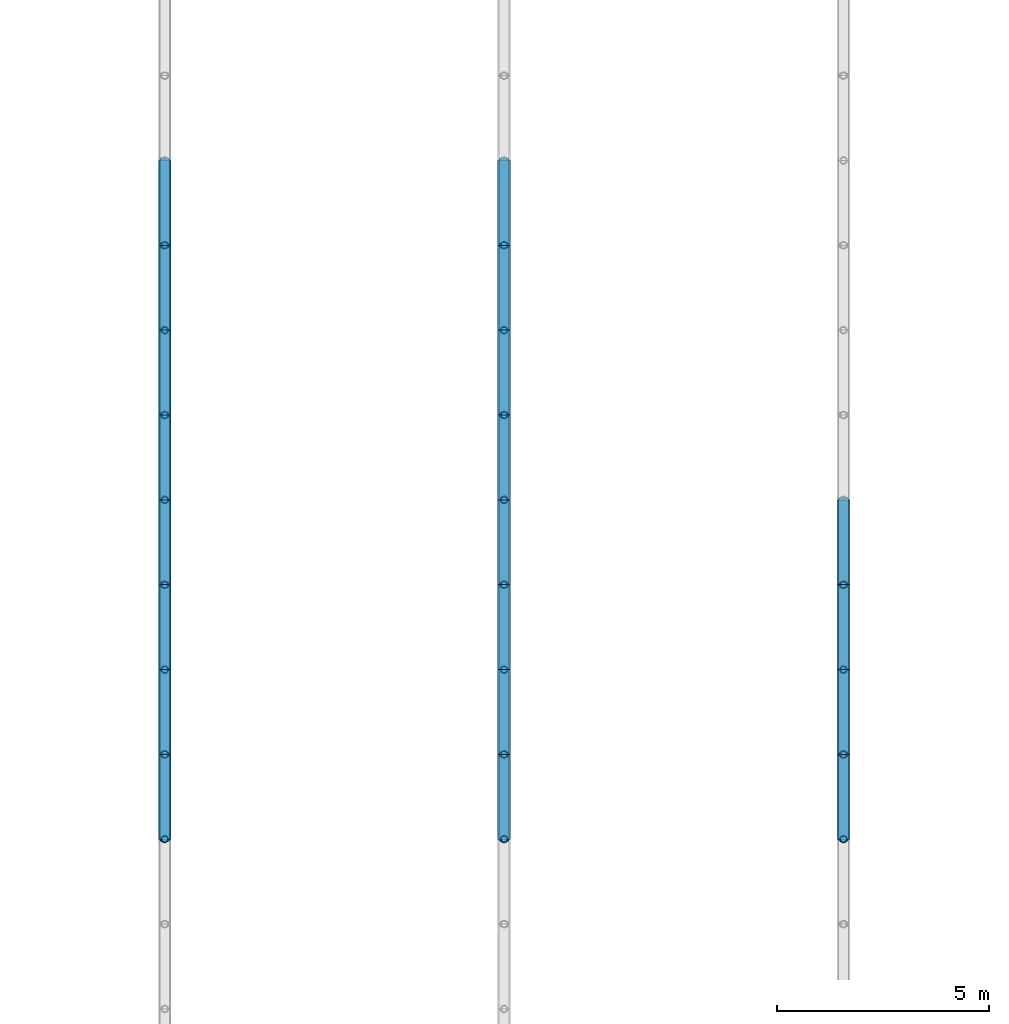
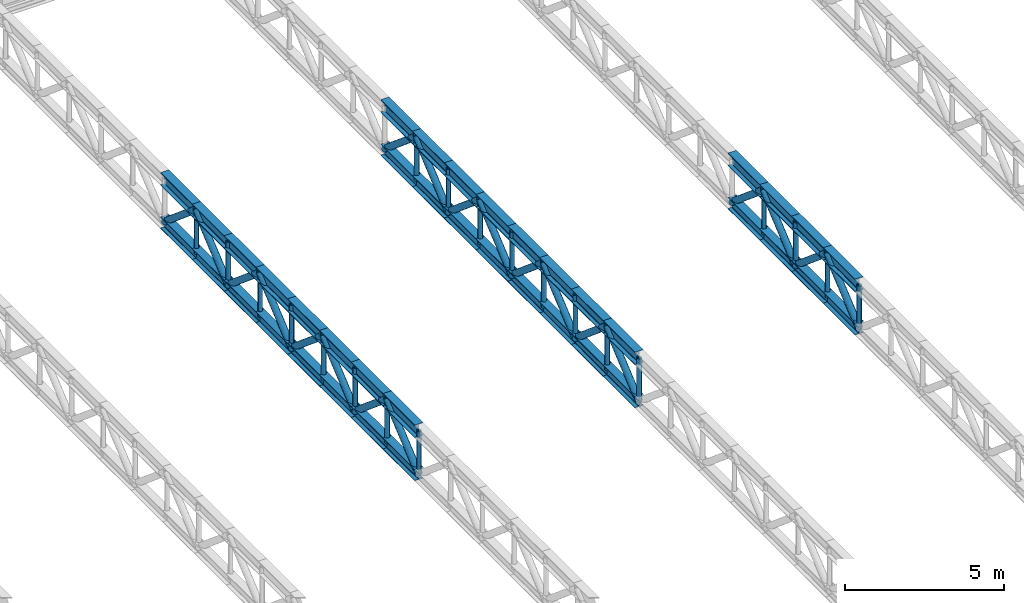
# One storey, part 84 of 143: 80 members.
"""IFC4 building model written with IfcOpenShell, lengths in metres."""

from ifc_helpers import new_model, si_unit, derived_unit, direction, frame, origin, origin_2d, place, context, subcontext, project, spatial, hollow_circle, i_section, extrude, material, material_profile, profile_set, type_object, element, save


model = new_model("IFC4")

# Units and contexts
model_context = context("Model", 3, precision=1e-05, world=origin(), true_north=direction((0.0, 1.0)))
body_context = subcontext(model_context, "Body", "Model", "MODEL_VIEW")
ifc_project = project(units=[si_unit("LENGTHUNIT", "METRE"), si_unit("AREAUNIT", "SQUARE_METRE"), si_unit("VOLUMEUNIT", "CUBIC_METRE"), si_unit("PLANEANGLEUNIT", "RADIAN"), si_unit("MASSUNIT", "GRAM", prefix="KILO"), derived_unit("THERMALTRANSMITTANCEUNIT", [(si_unit("POWERUNIT", "WATT"), 1), (si_unit("LENGTHUNIT", "METRE"), -2), (si_unit("THERMODYNAMICTEMPERATUREUNIT", "KELVIN"), -1)])], contexts=[model_context])

# Site, building, storey
site_placement = place(None, origin())
site = spatial("IfcSite", under=ifc_project, at=site_placement, CompositionType="ELEMENT")
building_placement = place(site_placement, origin())
building = spatial("IfcBuilding", under=site, at=building_placement, Name="Keldorne Ridge Multi-Sports Centre", CompositionType="ELEMENT")
storey_placement = place(building_placement, frame((0.0, 0.0, 4.800048828125)))
storey = spatial("IfcBuildingStorey", under=building, at=storey_placement, Name="L01", CompositionType="ELEMENT", Elevation=4.800048828125)

# Members
ifc_material = material(Name="Steel S355", Category="steel")
ifc_material_profile_1 = material_profile(ifc_material, i_section(OverallWidth=0.300048828125, OverallDepth=0.5, WebThickness=0.014404296875, FlangeThickness=0.028076171875, FilletRadius=0.027099609375, at=origin_2d()), Name="HEB 500")
ifc_profile_set_1 = profile_set([ifc_material_profile_1], Name="Steel S355")
member_type_1 = type_object("IfcMemberType", Name="MEM-TC-03", PredefinedType="CHORD", material=ifc_profile_set_1)
for number, where, z_axis, x_axis, name in (
    (1, (136.0, 22.0, 4.31005859375), (0.0, 1.0, 0.0), (-1.0, 0.0, 0.0), "Stacked Courts Warren TRUSS WT-L02-05 top chord 9"),
    (2, (136.0, 24.0, 4.31005859375), (0.0, 1.0, 0.0), (-1.0, 0.0, 0.0), "Stacked Courts Warren TRUSS WT-L02-05 top chord 10"),
    (3, (136.0, 26.0, 4.31005859375), (0.0, 1.0, 0.0), (-1.0, 0.0, 0.0), "Stacked Courts Warren TRUSS WT-L02-05 top chord 11"),
    (4, (136.0, 28.0, 4.31005859375), (0.0, 1.0, 0.0), (-1.0, 0.0, 0.0), "Stacked Courts Warren TRUSS WT-L02-05 top chord 12"),
    (5, (136.0, 30.0, 4.31005859375), (0.0, 1.0, 0.0), (-1.0, 0.0, 0.0), "Stacked Courts Warren TRUSS WT-L02-05 top chord 13"),
    (6, (136.0, 32.0, 4.31005859375), (0.0, 1.0, 0.0), (-1.0, 0.0, 0.0), "Stacked Courts Warren TRUSS WT-L02-05 top chord 14"),
    (7, (136.0, 34.0, 4.31005859375), (0.0, 1.0, 0.0), (-1.0, 0.0, 0.0), "Stacked Courts Warren TRUSS WT-L02-05 top chord 15"),
    (8, (136.0, 36.0, 4.31005859375), (0.0, 1.0, 0.0), (-1.0, 0.0, 0.0), "Stacked Courts Warren TRUSS WT-L02-05 top chord 16"),
    (9, (144.0, 22.0, 4.31005859375), (0.0, 1.0, 0.0), (-1.0, 0.0, 0.0), "Stacked Courts Warren TRUSS WT-L02-06 top chord 9"),
    (10, (144.0, 24.0, 4.31005859375), (0.0, 1.0, 0.0), (-1.0, 0.0, 0.0), "Stacked Courts Warren TRUSS WT-L02-06 top chord 10"),
    (11, (144.0, 26.0, 4.31005859375), (0.0, 1.0, 0.0), (-1.0, 0.0, 0.0), "Stacked Courts Warren TRUSS WT-L02-06 top chord 11"),
    (12, (144.0, 28.0, 4.31005859375), (0.0, 1.0, 0.0), (-1.0, 0.0, 0.0), "Stacked Courts Warren TRUSS WT-L02-06 top chord 12"),
    (13, (144.0, 30.0, 4.31005859375), (0.0, 1.0, 0.0), (-1.0, 0.0, 0.0), "Stacked Courts Warren TRUSS WT-L02-06 top chord 13"),
    (14, (144.0, 32.0, 4.31005859375), (0.0, 1.0, 0.0), (-1.0, 0.0, 0.0), "Stacked Courts Warren TRUSS WT-L02-06 top chord 14"),
    (15, (144.0, 34.0, 4.31005859375), (0.0, 1.0, 0.0), (-1.0, 0.0, 0.0), "Stacked Courts Warren TRUSS WT-L02-06 top chord 15"),
    (16, (144.0, 36.0, 4.31005859375), (0.0, 1.0, 0.0), (-1.0, 0.0, 0.0), "Stacked Courts Warren TRUSS WT-L02-06 top chord 16"),
    (17, (152.0, 22.0, 4.31005859375), (0.0, 1.0, 0.0), (-1.0, 0.0, 0.0), "Stacked Courts Warren TRUSS WT-L02-07 top chord 9"),
    (18, (152.0, 24.0, 4.31005859375), (0.0, 1.0, 0.0), (-1.0, 0.0, 0.0), "Stacked Courts Warren TRUSS WT-L02-07 top chord 10"),
    (19, (152.0, 26.0, 4.31005859375), (0.0, 1.0, 0.0), (-1.0, 0.0, 0.0), "Stacked Courts Warren TRUSS WT-L02-07 top chord 11"),
    (20, (152.0, 28.0, 4.31005859375), (0.0, 1.0, 0.0), (-1.0, 0.0, 0.0), "Stacked Courts Warren TRUSS WT-L02-07 top chord 12"),
):
    element("IfcMember", number, at=place(storey_placement, frame(where, z_axis=z_axis, x_axis=x_axis)), inside=storey, type_object=member_type_1, Name=name, PredefinedType="CHORD", context=body_context, shape_type="SweptSolid", body=[
        extrude(i_section(OverallWidth=0.300048828125, OverallDepth=0.5, WebThickness=0.014404296875, FlangeThickness=0.028076171875, FilletRadius=0.027099609375, at=origin_2d()), origin(), (0.0, 0.0, 1.0), 2.0),
    ])
ifc_material_profile_2 = material_profile(ifc_material, i_section(OverallWidth=0.300048828125, OverallDepth=0.449951171875, WebThickness=0.013916015625, FlangeThickness=0.02587890625, FilletRadius=0.027099609375, at=origin_2d()), Name="HEB 450")
ifc_profile_set_2 = profile_set([ifc_material_profile_2], Name="Steel S355")
member_type_2 = type_object("IfcMemberType", Name="MEM-TC-04", PredefinedType="CHORD", material=ifc_profile_set_2)
for number, where, z_axis, x_axis, name in (
    (21, (136.0, 22.0, 2.6298828125), (0.0, 1.0, 0.0), (-1.0, 0.0, 0.0), "Stacked Courts Warren TRUSS WT-L02-05 bottom chord 9"),
    (22, (136.0, 24.0, 2.6298828125), (0.0, 1.0, 0.0), (-1.0, 0.0, 0.0), "Stacked Courts Warren TRUSS WT-L02-05 bottom chord 10"),
    (23, (136.0, 26.0, 2.6298828125), (0.0, 1.0, 0.0), (-1.0, 0.0, 0.0), "Stacked Courts Warren TRUSS WT-L02-05 bottom chord 11"),
    (24, (136.0, 28.0, 2.6298828125), (0.0, 1.0, 0.0), (-1.0, 0.0, 0.0), "Stacked Courts Warren TRUSS WT-L02-05 bottom chord 12"),
    (25, (136.0, 30.0, 2.6298828125), (0.0, 1.0, 0.0), (-1.0, 0.0, 0.0), "Stacked Courts Warren TRUSS WT-L02-05 bottom chord 13"),
    (26, (136.0, 32.0, 2.6298828125), (0.0, 1.0, 0.0), (-1.0, 0.0, 0.0), "Stacked Courts Warren TRUSS WT-L02-05 bottom chord 14"),
    (27, (136.0, 34.0, 2.6298828125), (0.0, 1.0, 0.0), (-1.0, 0.0, 0.0), "Stacked Courts Warren TRUSS WT-L02-05 bottom chord 15"),
    (28, (136.0, 36.0, 2.6298828125), (0.0, 1.0, 0.0), (-1.0, 0.0, 0.0), "Stacked Courts Warren TRUSS WT-L02-05 bottom chord 16"),
    (29, (144.0, 22.0, 2.6298828125), (0.0, 1.0, 0.0), (-1.0, 0.0, 0.0), "Stacked Courts Warren TRUSS WT-L02-06 bottom chord 9"),
    (30, (144.0, 24.0, 2.6298828125), (0.0, 1.0, 0.0), (-1.0, 0.0, 0.0), "Stacked Courts Warren TRUSS WT-L02-06 bottom chord 10"),
    (31, (144.0, 26.0, 2.6298828125), (0.0, 1.0, 0.0), (-1.0, 0.0, 0.0), "Stacked Courts Warren TRUSS WT-L02-06 bottom chord 11"),
    (32, (144.0, 28.0, 2.6298828125), (0.0, 1.0, 0.0), (-1.0, 0.0, 0.0), "Stacked Courts Warren TRUSS WT-L02-06 bottom chord 12"),
    (33, (144.0, 30.0, 2.6298828125), (0.0, 1.0, 0.0), (-1.0, 0.0, 0.0), "Stacked Courts Warren TRUSS WT-L02-06 bottom chord 13"),
    (34, (144.0, 32.0, 2.6298828125), (0.0, 1.0, 0.0), (-1.0, 0.0, 0.0), "Stacked Courts Warren TRUSS WT-L02-06 bottom chord 14"),
    (35, (144.0, 34.0, 2.6298828125), (0.0, 1.0, 0.0), (-1.0, 0.0, 0.0), "Stacked Courts Warren TRUSS WT-L02-06 bottom chord 15"),
    (36, (144.0, 36.0, 2.6298828125), (0.0, 1.0, 0.0), (-1.0, 0.0, 0.0), "Stacked Courts Warren TRUSS WT-L02-06 bottom chord 16"),
    (37, (152.0, 22.0, 2.6298828125), (0.0, 1.0, 0.0), (-1.0, 0.0, 0.0), "Stacked Courts Warren TRUSS WT-L02-07 bottom chord 9"),
    (38, (152.0, 24.0, 2.6298828125), (0.0, 1.0, 0.0), (-1.0, 0.0, 0.0), "Stacked Courts Warren TRUSS WT-L02-07 bottom chord 10"),
    (39, (152.0, 26.0, 2.6298828125), (0.0, 1.0, 0.0), (-1.0, 0.0, 0.0), "Stacked Courts Warren TRUSS WT-L02-07 bottom chord 11"),
    (40, (152.0, 28.0, 2.6298828125), (0.0, 1.0, 0.0), (-1.0, 0.0, 0.0), "Stacked Courts Warren TRUSS WT-L02-07 bottom chord 12"),
):
    element("IfcMember", number, at=place(storey_placement, frame(where, z_axis=z_axis, x_axis=x_axis)), inside=storey, type_object=member_type_2, Name=name, PredefinedType="CHORD", context=body_context, shape_type="SweptSolid", body=[
        extrude(i_section(OverallWidth=0.300048828125, OverallDepth=0.449951171875, WebThickness=0.013916015625, FlangeThickness=0.02587890625, FilletRadius=0.027099609375, at=origin_2d()), origin(), (0.0, 0.0, 1.0), 2.0),
    ])
ifc_material_profile_3 = material_profile(ifc_material, hollow_circle(Radius=0.122314453125, WallThickness=0.012451171875, at=origin_2d()), Name="CHS 244.5x12.5")
ifc_profile_set_3 = profile_set([ifc_material_profile_3], Name="Steel S355")
member_type_3 = type_object("IfcMemberType", Name="MEM-TD-02", PredefinedType="BRACE", material=ifc_profile_set_3)
for number, where, z_axis, x_axis, name in (
    (41, (136.0, 22.0, 2.6298828125), (0.0, 0.765671721121, 0.643231541108), (-1.0, 0.0, 0.0), "Stacked Courts Warren TRUSS WT-L02-05 diagonal 9"),
    (42, (136.0, 24.0, 4.31005859375), (0.0, 0.765671721121, -0.643231541108), (-1.0, 0.0, 0.0), "Stacked Courts Warren TRUSS WT-L02-05 diagonal 10"),
    (43, (136.0, 26.0, 2.6298828125), (0.0, 0.765671721121, 0.643231541108), (-1.0, 0.0, 0.0), "Stacked Courts Warren TRUSS WT-L02-05 diagonal 11"),
    (44, (136.0, 28.0, 4.31005859375), (0.0, 0.765671721121, -0.643231541108), (-1.0, 0.0, 0.0), "Stacked Courts Warren TRUSS WT-L02-05 diagonal 12"),
    (45, (136.0, 30.0, 2.6298828125), (0.0, 0.765671721121, 0.643231541108), (-1.0, 0.0, 0.0), "Stacked Courts Warren TRUSS WT-L02-05 diagonal 13"),
    (46, (136.0, 32.0, 4.31005859375), (0.0, 0.765671721121, -0.643231541108), (-1.0, 0.0, 0.0), "Stacked Courts Warren TRUSS WT-L02-05 diagonal 14"),
    (47, (136.0, 34.0, 2.6298828125), (0.0, 0.765671721121, 0.643231541108), (-1.0, 0.0, 0.0), "Stacked Courts Warren TRUSS WT-L02-05 diagonal 15"),
    (48, (136.0, 36.0, 4.31005859375), (0.0, 0.765671721121, -0.643231541108), (-1.0, 0.0, 0.0), "Stacked Courts Warren TRUSS WT-L02-05 diagonal 16"),
    (49, (144.0, 22.0, 2.6298828125), (0.0, 0.765671721121, 0.643231541108), (-1.0, 0.0, 0.0), "Stacked Courts Warren TRUSS WT-L02-06 diagonal 9"),
    (50, (144.0, 24.0, 4.31005859375), (0.0, 0.765671721121, -0.643231541108), (-1.0, 0.0, 0.0), "Stacked Courts Warren TRUSS WT-L02-06 diagonal 10"),
    (51, (144.0, 26.0, 2.6298828125), (0.0, 0.765671721121, 0.643231541108), (-1.0, 0.0, 0.0), "Stacked Courts Warren TRUSS WT-L02-06 diagonal 11"),
    (52, (144.0, 28.0, 4.31005859375), (0.0, 0.765671721121, -0.643231541108), (-1.0, 0.0, 0.0), "Stacked Courts Warren TRUSS WT-L02-06 diagonal 12"),
    (53, (144.0, 30.0, 2.6298828125), (0.0, 0.765671721121, 0.643231541108), (-1.0, 0.0, 0.0), "Stacked Courts Warren TRUSS WT-L02-06 diagonal 13"),
    (54, (144.0, 32.0, 4.31005859375), (0.0, 0.765671721121, -0.643231541108), (-1.0, 0.0, 0.0), "Stacked Courts Warren TRUSS WT-L02-06 diagonal 14"),
    (55, (144.0, 34.0, 2.6298828125), (0.0, 0.765671721121, 0.643231541108), (-1.0, 0.0, 0.0), "Stacked Courts Warren TRUSS WT-L02-06 diagonal 15"),
    (56, (144.0, 36.0, 4.31005859375), (0.0, 0.765671721121, -0.643231541108), (-1.0, 0.0, 0.0), "Stacked Courts Warren TRUSS WT-L02-06 diagonal 16"),
    (57, (152.0, 22.0, 2.6298828125), (0.0, 0.765671721121, 0.643231541108), (-1.0, 0.0, 0.0), "Stacked Courts Warren TRUSS WT-L02-07 diagonal 9"),
    (58, (152.0, 24.0, 4.31005859375), (0.0, 0.765671721121, -0.643231541108), (-1.0, 0.0, 0.0), "Stacked Courts Warren TRUSS WT-L02-07 diagonal 10"),
    (59, (152.0, 26.0, 2.6298828125), (0.0, 0.765671721121, 0.643231541108), (-1.0, 0.0, 0.0), "Stacked Courts Warren TRUSS WT-L02-07 diagonal 11"),
    (60, (152.0, 28.0, 4.31005859375), (0.0, 0.765671721121, -0.643231541108), (-1.0, 0.0, 0.0), "Stacked Courts Warren TRUSS WT-L02-07 diagonal 12"),
):
    element("IfcMember", number, at=place(storey_placement, frame(where, z_axis=z_axis, x_axis=x_axis)), inside=storey, type_object=member_type_3, Name=name, PredefinedType="BRACE", context=body_context, shape_type="SweptSolid", body=[
        extrude(hollow_circle(Radius=0.122314453125, WallThickness=0.012451171875, at=origin_2d()), origin(), (0.0, 0.0, 1.0), 2.612060546875),
    ])
ifc_material_profile_4 = material_profile(ifc_material, hollow_circle(Radius=0.084228515625, WallThickness=0.010009765625, at=origin_2d()), Name="CHS 168.3x10")
ifc_profile_set_4 = profile_set([ifc_material_profile_4], Name="Steel S355")
member_type_4 = type_object("IfcMemberType", Name="MEM-TV-01", PredefinedType="STRUT", material=ifc_profile_set_4)
for number, where, z_axis, x_axis, name in (
    (61, (136.0, 22.0, 2.6298828125), (0.0, 0.0, 1.0), (1.0, 0.0, 0.0), "Stacked Courts Warren TRUSS WT-L02-05 post 9"),
    (62, (136.0, 24.0, 2.6298828125), (0.0, 0.0, 1.0), (1.0, 0.0, 0.0), "Stacked Courts Warren TRUSS WT-L02-05 post 10"),
    (63, (136.0, 26.0, 2.6298828125), (0.0, 0.0, 1.0), (1.0, 0.0, 0.0), "Stacked Courts Warren TRUSS WT-L02-05 post 11"),
    (64, (136.0, 28.0, 2.6298828125), (0.0, 0.0, 1.0), (1.0, 0.0, 0.0), "Stacked Courts Warren TRUSS WT-L02-05 post 12"),
    (65, (136.0, 30.0, 2.6298828125), (0.0, 0.0, 1.0), (1.0, 0.0, 0.0), "Stacked Courts Warren TRUSS WT-L02-05 post 13"),
    (66, (136.0, 32.0, 2.6298828125), (0.0, 0.0, 1.0), (1.0, 0.0, 0.0), "Stacked Courts Warren TRUSS WT-L02-05 post 14"),
    (67, (136.0, 34.0, 2.6298828125), (0.0, 0.0, 1.0), (1.0, 0.0, 0.0), "Stacked Courts Warren TRUSS WT-L02-05 post 15"),
    (68, (136.0, 36.0, 2.6298828125), (0.0, 0.0, 1.0), (1.0, 0.0, 0.0), "Stacked Courts Warren TRUSS WT-L02-05 post 16"),
    (69, (144.0, 22.0, 2.6298828125), (0.0, 0.0, 1.0), (1.0, 0.0, 0.0), "Stacked Courts Warren TRUSS WT-L02-06 post 9"),
    (70, (144.0, 24.0, 2.6298828125), (0.0, 0.0, 1.0), (1.0, 0.0, 0.0), "Stacked Courts Warren TRUSS WT-L02-06 post 10"),
    (71, (144.0, 26.0, 2.6298828125), (0.0, 0.0, 1.0), (1.0, 0.0, 0.0), "Stacked Courts Warren TRUSS WT-L02-06 post 11"),
    (72, (144.0, 28.0, 2.6298828125), (0.0, 0.0, 1.0), (1.0, 0.0, 0.0), "Stacked Courts Warren TRUSS WT-L02-06 post 12"),
    (73, (144.0, 30.0, 2.6298828125), (0.0, 0.0, 1.0), (1.0, 0.0, 0.0), "Stacked Courts Warren TRUSS WT-L02-06 post 13"),
    (74, (144.0, 32.0, 2.6298828125), (0.0, 0.0, 1.0), (1.0, 0.0, 0.0), "Stacked Courts Warren TRUSS WT-L02-06 post 14"),
    (75, (144.0, 34.0, 2.6298828125), (0.0, 0.0, 1.0), (1.0, 0.0, 0.0), "Stacked Courts Warren TRUSS WT-L02-06 post 15"),
    (76, (144.0, 36.0, 2.6298828125), (0.0, 0.0, 1.0), (1.0, 0.0, 0.0), "Stacked Courts Warren TRUSS WT-L02-06 post 16"),
    (77, (152.0, 22.0, 2.6298828125), (0.0, 0.0, 1.0), (1.0, 0.0, 0.0), "Stacked Courts Warren TRUSS WT-L02-07 post 9"),
    (78, (152.0, 24.0, 2.6298828125), (0.0, 0.0, 1.0), (1.0, 0.0, 0.0), "Stacked Courts Warren TRUSS WT-L02-07 post 10"),
    (79, (152.0, 26.0, 2.6298828125), (0.0, 0.0, 1.0), (1.0, 0.0, 0.0), "Stacked Courts Warren TRUSS WT-L02-07 post 11"),
    (80, (152.0, 28.0, 2.6298828125), (0.0, 0.0, 1.0), (1.0, 0.0, 0.0), "Stacked Courts Warren TRUSS WT-L02-07 post 12"),
):
    element("IfcMember", number, at=place(storey_placement, frame(where, z_axis=z_axis, x_axis=x_axis)), inside=storey, type_object=member_type_4, Name=name, PredefinedType="STRUT", context=body_context, shape_type="SweptSolid", body=[
        extrude(hollow_circle(Radius=0.084228515625, WallThickness=0.010009765625, at=origin_2d()), origin(), (0.0, 0.0, 1.0), 1.68017578125),
    ])

save(model, "model.ifc")
